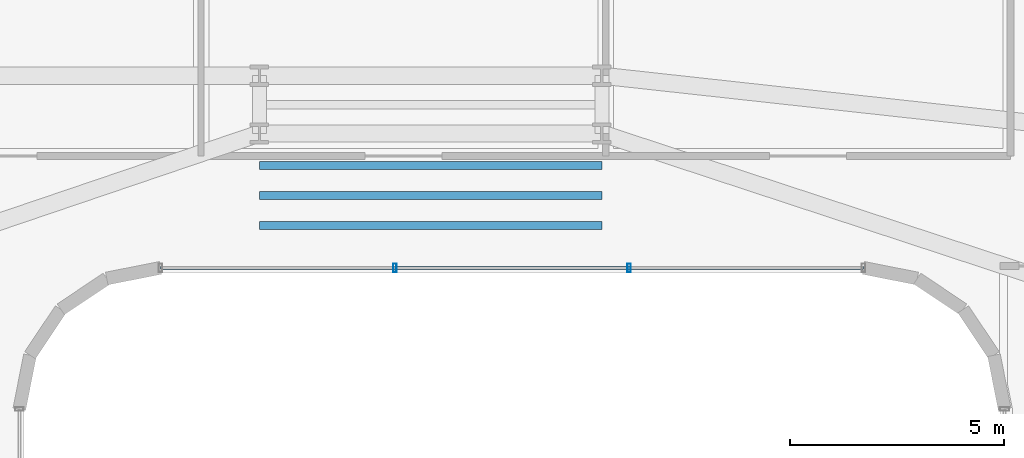
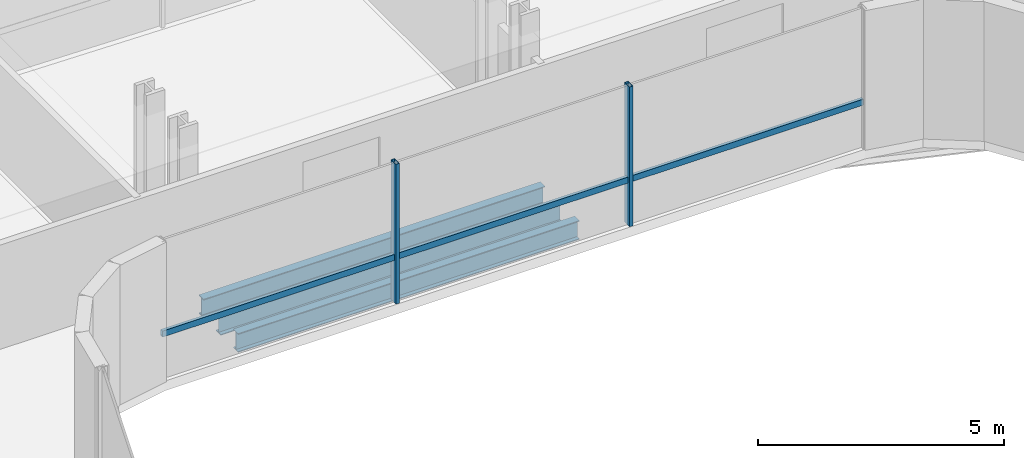
# One storey, part 16 of 40: 3 beams, 3 members, 1 element without a shape of its own.
"""IFC4 building model written with IfcOpenShell, lengths in metres."""

from ifc_helpers import new_model, si_unit, direction, frame, origin, origin_2d, place, context, subcontext, project, spatial, hollow_rectangle, i_section, extrude, source, transform, mapped, material, material_profile, profile_set, type_object, element, aggregate, save


model = new_model("IFC4")

# Units and contexts
model_context = context("Model", 3, precision=1e-05, world=origin(), true_north=direction((0.0, 1.0)))
body_context = subcontext(model_context, "Body", "Model", "MODEL_VIEW")
ifc_project = project(units=[si_unit("LENGTHUNIT", "METRE"), si_unit("AREAUNIT", "SQUARE_METRE"), si_unit("VOLUMEUNIT", "CUBIC_METRE"), si_unit("PLANEANGLEUNIT", "RADIAN"), si_unit("MASSUNIT", "GRAM", prefix="KILO")], contexts=[model_context])

# Site, building, storey
site_placement = place(None, origin())
site = spatial("IfcSite", under=ifc_project, at=site_placement, CompositionType="ELEMENT")
building_placement = place(site_placement, origin())
building = spatial("IfcBuilding", under=site, at=building_placement, Name="Valdorenza Pilgrim Sanctuary Tower", CompositionType="ELEMENT")
storey_placement = place(building_placement, frame((0.0, 0.0, 81.5)))
storey = spatial("IfcBuildingStorey", under=building, at=storey_placement, Name="L20", CompositionType="ELEMENT", Elevation=81.5)

# Beams
ifc_material_1 = material(Name="Steel ASTM A992 Grade 50", Category="steel")
ifc_material_profile_1 = material_profile(ifc_material_1, i_section(OverallWidth=0.193115234375, OverallDepth=0.466064453125, WebThickness=0.011474609375, FlangeThickness=0.01904296875, at=origin_2d()), Name="W18X65")
ifc_profile_set_1 = profile_set([ifc_material_profile_1], Name="Steel ASTM A992 Grade 50")
beam_type = type_object("IfcBeamType", Name="STR-BM-JST-W18A", PredefinedType="JOIST", material=ifc_profile_set_1)
shared_shape_1 = source(origin(), body_context, "Body", "SweptSolid", [
    extrude(i_section(OverallWidth=0.193115234375, OverallDepth=0.466064453125, WebThickness=0.011474609375, FlangeThickness=0.01904296875, at=origin_2d()), origin(), (0.0, 0.0, 1.0), 8.0),
])
for number, where, z_axis, x_axis, name in (
    (1, (-4.0, 11.300048828125, -0.472900390625), (1.0, 0.0, 0.0), (0.0, 1.0, 0.0), "L20 Knuckle Composite Joist JST-KNK-1"),
    (2, (-4.0, 12.0, -0.472900390625), (1.0, 0.0, 0.0), (0.0, 1.0, 0.0), "L20 Knuckle Composite Joist JST-KNK-2"),
    (3, (-4.0, 12.699951171875, -0.472900390625), (1.0, 0.0, 0.0), (0.0, 1.0, 0.0), "L20 Knuckle Composite Joist JST-KNK-3"),
):
    element("IfcBeam", number, at=place(storey_placement, frame(where, z_axis=z_axis, x_axis=x_axis)), inside=storey, type_object=beam_type, Name=name, PredefinedType="JOIST", context=body_context, shape_type="MappedRepresentation", body=[
        mapped(shared_shape_1, transform((0.0, 0.0, 0.0), x_axis=(1.0, 0.0, 0.0), y_axis=(0.0, 1.0, 0.0), z_axis=(0.0, 0.0, 1.0), scale=1.0)),
    ])

# Curtain wall, members
ifc_material_2 = material(Name="Curtain-wall IGU glazing", Category="glass")
curtain_wall_type = type_object("IfcCurtainWallType", Name="CW-SYS-02", PredefinedType="NOTDEFINED", material=ifc_material_2)
curtain_wall_placement = place(storey_placement, origin())
curtain_wall = element("IfcCurtainWall", 4, at=curtain_wall_placement, inside=storey, type_object=curtain_wall_type, Name="L20 Curtain Wall CW-L20-1-36", PredefinedType="NOTDEFINED")
ifc_material_3 = material(Name="Anodised aluminium AW-6060", Category="aluminium")
ifc_material_profile_2 = material_profile(ifc_material_3, hollow_rectangle(XDim=0.0849609375, YDim=0.199951171875, WallThickness=0.0048828125, at=origin_2d()), Name="ALU-M 200x85x5")
ifc_profile_set_2 = profile_set([ifc_material_profile_2], Name="Anodised aluminium AW-6060")
member_type_1 = type_object("IfcMemberType", Name="CW-MUL-02", PredefinedType="MULLION", material=ifc_profile_set_2)
shared_shape_2 = source(origin(), body_context, "Body", "SweptSolid", [
    extrude(hollow_rectangle(XDim=0.0849609375, YDim=0.199951171875, WallThickness=0.0048828125, at=origin_2d()), origin(), (0.0, 0.0, 1.0), 3.4599609375),
])
member_1_placement = place(storey_placement, frame((4.636962890625, 10.31005859375, 0.0), z_axis=(0.0, 0.0, 1.0), x_axis=(-1.0, 0.0, 0.0)))
member_1 = element("IfcMember", 5, at=member_1_placement, type_object=member_type_1, Name="CW-L20-1-36 Mullion 2", PredefinedType="MULLION", context=body_context, shape_type="MappedRepresentation", body=[
    mapped(shared_shape_2, transform((0.0, 0.0, 0.0), x_axis=(1.0, 0.0, 0.0), y_axis=(0.0, 1.0, 0.0), z_axis=(0.0, 0.0, 1.0), scale=1.0)),
])
member_2_placement = place(storey_placement, frame((-0.8369140625, 10.31005859375, 0.0), z_axis=(0.0, 0.0, 1.0), x_axis=(-1.0, 0.0, 0.0)))
member_2 = element("IfcMember", 6, at=member_2_placement, type_object=member_type_1, Name="CW-L20-1-36 Mullion 3", PredefinedType="MULLION", context=body_context, shape_type="MappedRepresentation", body=[
    mapped(shared_shape_2, transform((0.0, 0.0, 0.0), x_axis=(1.0, 0.0, 0.0), y_axis=(0.0, 1.0, 0.0), z_axis=(0.0, 0.0, 1.0), scale=1.0)),
])
ifc_material_profile_3 = material_profile(ifc_material_3, hollow_rectangle(XDim=0.074951171875, YDim=0.14990234375, WallThickness=0.00390625, at=origin_2d()), Name="ALU-T 150x75x4")
ifc_profile_set_3 = profile_set([ifc_material_profile_3], Name="Anodised aluminium AW-6060")
member_type_2 = type_object("IfcMemberType", Name="CW-TRN-02", PredefinedType="USERDEFINED", material=ifc_profile_set_3)
shared_shape_3 = source(origin(), body_context, "Body", "SweptSolid", [
    extrude(hollow_rectangle(XDim=0.074951171875, YDim=0.14990234375, WallThickness=0.00390625, at=origin_2d()), origin(), (0.0, 0.0, 1.0), 16.421630859375),
])
member_3_placement = place(storey_placement, frame((10.11083984375, 10.31005859375, 1.1201171875), z_axis=(-1.0, 0.0, 0.0), x_axis=(0.0, -1.0, 0.0)))
member_3 = element("IfcMember", 7, at=member_3_placement, type_object=member_type_2, Name="CW-L20-1-36 Transom 1", ObjectType="TRANSOM", PredefinedType="USERDEFINED", context=body_context, shape_type="MappedRepresentation", body=[
    mapped(shared_shape_3, transform((0.0, 0.0, 0.0), x_axis=(1.0, 0.0, 0.0), y_axis=(0.0, 1.0, 0.0), z_axis=(0.0, 0.0, 1.0), scale=1.0)),
])
aggregate(curtain_wall, [member_1, member_2, member_3])

save(model, "model.ifc")
